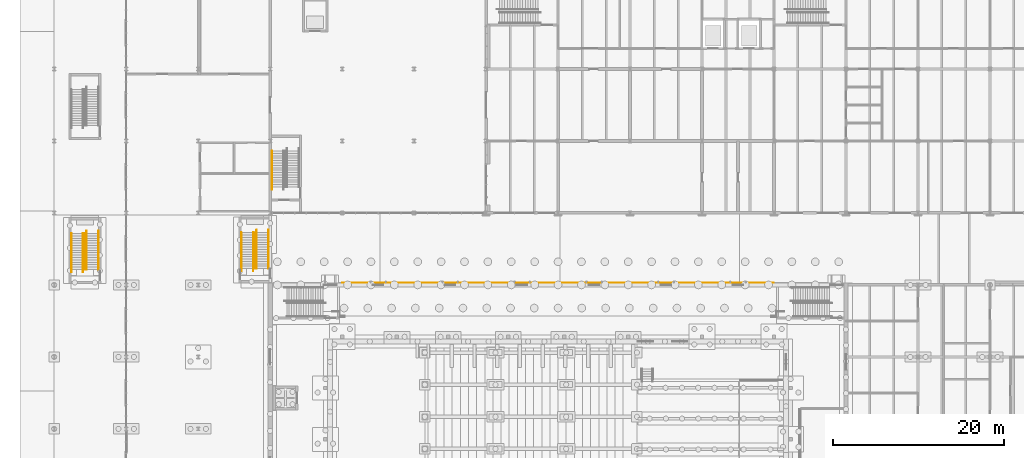
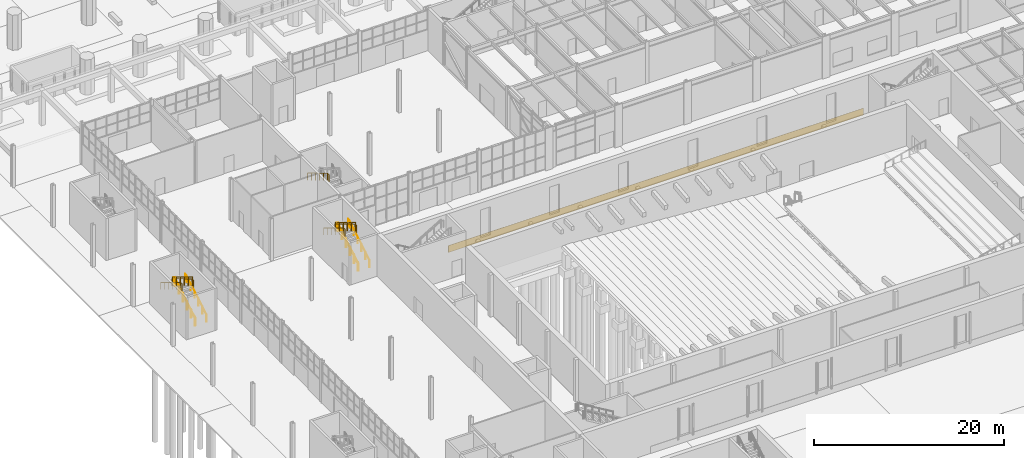
# One storey, part 107 of 127: 13 railings, 1 covering.
"""IFC4 building model written with IfcOpenShell, lengths in metres."""

import ifcopenshell
import ifcopenshell.guid

model = None  # the IFC model being written
_history = None  # IfcOwnerHistory: only IFC2X3 demands one
_inside = {}  # id of a spatial element -> (the spatial element, [elements in it])
_under = {}  # id of a project, library or spatial element -> (it, [spatial elements below it])
_declared = {}  # id of a project -> (the project, [libraries it declares])
_typed = {}  # id of a type object -> (the type object, [elements of that type])
_made_of = {}  # id of a material, layer set ... -> (it, [elements and type objects made of it])


def new_model(schema):
    """Start an empty IFC model of exactly this schema.

    Asked for "IFC4X3", IfcOpenShell would pick the latest addendum, in which some entities
    have other attributes; the version numbers below select the first issue.
    IFC2X3 requires an IfcOwnerHistory on every rooted entity: one is made here for all.
    """
    global model, _history
    if schema == "IFC4X3":
        model = ifcopenshell.file(schema_version=(4, 3, 0, 0))
    else:
        model = ifcopenshell.file(schema=schema)
    _inside.clear()
    _under.clear()
    _declared.clear()
    _typed.clear()
    _made_of.clear()
    _history = None
    if model.schema == "IFC2X3":
        org = make("IfcOrganization", Name="unknown")
        user = make(
            "IfcPersonAndOrganization",
            ThePerson=make("IfcPerson", FamilyName="unknown"),
            TheOrganization=org,
        )
        app = make(
            "IfcApplication",
            ApplicationDeveloper=org,
            Version="unknown",
            ApplicationFullName="unknown",
            ApplicationIdentifier="unknown",
        )
        _history = make(
            "IfcOwnerHistory",
            OwningUser=user,
            OwningApplication=app,
            ChangeAction="ADDED",
            CreationDate=0,
        )
    return model


def make(cls, **values):
    """One entity of the class cls with the attributes given. An attribute that is None is left unset."""
    return model.create_entity(
        cls, **{name: value for name, value in values.items() if value is not None}
    )


def rooted(cls, **values):
    """An entity with a GlobalId (a new one), such as an element, a storey or a relation."""
    return make(cls, GlobalId=ifcopenshell.guid.new(), OwnerHistory=_history, **values)


def si_unit(unit_type, name, prefix=None):
    """IfcSIUnit, for example si_unit("LENGTHUNIT", "METRE", prefix="MILLI")."""
    return make("IfcSIUnit", UnitType=unit_type, Prefix=prefix, Name=name)


def assignment(units):
    """IfcUnitAssignment: the units of a project."""
    return None if units is None else make("IfcUnitAssignment", Units=units)


def point(xyz):
    """IfcCartesianPoint."""
    return None if xyz is None else make("IfcCartesianPoint", Coordinates=xyz)


def direction(xyz):
    """IfcDirection."""
    return None if xyz is None else make("IfcDirection", DirectionRatios=xyz)


def frame(location, z_axis=None, x_axis=None):
    """IfcAxis2Placement3D, a coordinate frame: its origin and axes. An axis left out is left unset."""
    return make(
        "IfcAxis2Placement3D",
        Location=point(location),
        Axis=direction(z_axis),
        RefDirection=direction(x_axis),
    )


def frame_2d(location, x_axis=None):
    """IfcAxis2Placement2D, a coordinate frame in the plane: its origin and x axis."""
    return make(
        "IfcAxis2Placement2D", Location=point(location), RefDirection=direction(x_axis)
    )


def origin():
    """The frame at (0, 0, 0) with its axes left unset."""
    return frame((0.0, 0.0, 0.0))


def origin_2d():
    """The frame at (0, 0) in the plane with its x axis left unset."""
    return frame_2d((0.0, 0.0))


def place(relative_to, where):
    """IfcLocalPlacement: puts the frame where relative to a parent placement (None: the world)."""
    return make(
        "IfcLocalPlacement", PlacementRelTo=relative_to, RelativePlacement=where
    )


def context(
    kind, dimensions, precision=None, world=None, true_north=None, identifier=None
):
    """IfcGeometricRepresentationContext, for example the 3D "Model" context."""
    return make(
        "IfcGeometricRepresentationContext",
        ContextIdentifier=identifier,
        ContextType=kind,
        CoordinateSpaceDimension=dimensions,
        Precision=precision,
        WorldCoordinateSystem=world,
        TrueNorth=true_north,
    )


def subcontext(parent, identifier, kind, view, scale=None):
    """IfcGeometricRepresentationSubContext, for example "Body" below "Model"."""
    return make(
        "IfcGeometricRepresentationSubContext",
        ContextIdentifier=identifier,
        ContextType=kind,
        ParentContext=parent,
        TargetScale=scale,
        TargetView=view,
    )


def project(units=None, contexts=None):
    """IfcProject with its units and contexts."""
    return rooted(
        "IfcProject",
        Name="project",
        RepresentationContexts=contexts,
        UnitsInContext=assignment(units),
    )


def spatial(cls, under=None, at=None, **own):
    """A site, building, storey or space (cls), placed at a placement, below another one or the project."""
    s = rooted(cls, ObjectPlacement=at, **own)
    if under is not None:
        _under.setdefault(under.id(), (under, []))[1].append(s)
    return s


def polyline(points):
    """IfcPolyline through the points."""
    return make("IfcPolyline", Points=[point(p) for p in points])


def profile(cls, at=None, kind="AREA", **sizes):
    """A parametric profile (cls). Its sizes go by their IFC names, for example OverallWidth=200.0."""
    return make(cls, ProfileType=kind, Position=at, **sizes)


def circle(**sizes):
    """IfcCircleProfileDef."""
    return profile("IfcCircleProfileDef", **sizes)


def outline(outer, holes=None, kind="AREA"):
    """IfcArbitraryClosedProfileDef: a profile drawn as a closed curve; with holes, ...WithVoids."""
    if holes is None:
        return make("IfcArbitraryClosedProfileDef", ProfileType=kind, OuterCurve=outer)
    return make(
        "IfcArbitraryProfileDefWithVoids",
        ProfileType=kind,
        OuterCurve=outer,
        InnerCurves=holes,
    )


def extrude(swept, where, along, depth):
    """IfcExtrudedAreaSolid: the profile swept, set in the frame where, extruded along a direction by depth."""
    return make(
        "IfcExtrudedAreaSolid",
        SweptArea=swept,
        Position=where,
        ExtrudedDirection=direction(along),
        Depth=depth,
    )


def shape(context_of_items, identifier, shape_type, items):
    """IfcShapeRepresentation: the items that make up one representation, for example the "Body"."""
    return make(
        "IfcShapeRepresentation",
        ContextOfItems=context_of_items,
        RepresentationIdentifier=identifier,
        RepresentationType=shape_type,
        Items=items,
    )


def material(Name=None, Category=None):
    """IfcMaterial."""
    return make("IfcMaterial", Name=Name, Category=Category)


def layer(
    of_material, thickness, ventilated=None, Name=None, Category=None, Priority=None
):
    """IfcMaterialLayer: one layer of a wall or slab, of a material (None: an air gap)."""
    return make(
        "IfcMaterialLayer",
        Material=of_material,
        LayerThickness=thickness,
        IsVentilated=ventilated,
        Name=Name,
        Category=Category,
        Priority=Priority,
    )


def layer_set(layers, Name=None):
    """IfcMaterialLayerSet."""
    return make("IfcMaterialLayerSet", MaterialLayers=layers, LayerSetName=Name)


def made_of(thing, what):
    """Note that an element or type object is made of a material, layer set ...; save() writes the relation."""
    if what is not None:
        _made_of.setdefault(what.id(), (what, []))[1].append(thing)
    return thing


def type_object(cls, material=None, **own):
    """A type object (cls), such as IfcWallType, which elements share."""
    return made_of(rooted(cls, **own), material)


def element(
    cls,
    number,
    at=None,
    inside=None,
    cuts=None,
    type_object=None,
    material=None,
    context=None,
    identifier="Body",
    shape_type=None,
    held_by="IfcProductDefinitionShape",
    body=None,
    shapes=None,
    **own,
):
    """One element of the class cls, such as IfcWall. Its Tag is "e" and its number.

    at: its placement. inside: the storey or other place that contains it. cuts: it is an
    opening in that element (IfcRelVoidsElement). A single representation is given by context,
    identifier, shape_type and body (its items); several are given by shapes. held_by: the class
    of the entity that holds the representations. save() writes the other relations.
    """
    e = rooted(cls, Tag="e%d" % number, ObjectPlacement=at, **own)
    if body is not None:
        shapes = [shape(context, identifier, shape_type, body)]
    if shapes is not None:
        e.Representation = make(held_by, Representations=shapes)
    if inside is not None:
        _inside.setdefault(inside.id(), (inside, []))[1].append(e)
    if cuts is not None:
        rooted(
            "IfcRelVoidsElement", RelatingBuildingElement=cuts, RelatedOpeningElement=e
        )
    if type_object is not None:
        _typed.setdefault(type_object.id(), (type_object, []))[1].append(e)
    return made_of(e, material)


def aggregate(whole, parts):
    """IfcRelAggregates: a whole, such as a stair, and the parts it consists of."""
    return rooted("IfcRelAggregates", RelatingObject=whole, RelatedObjects=parts)


def save(model, path):
    """Write the relations noted so far, then the file.

    IfcRelAggregates (storeys below a building ...), IfcRelContainedInSpatialStructure (elements
    in a storey), IfcRelDefinesByType, IfcRelAssociatesMaterial and IfcRelDeclares: one each for
    every whole, place, type object, material and project.
    """
    for whole, parts in _under.values():
        aggregate(whole, parts)
    for where, things in _inside.values():
        rooted(
            "IfcRelContainedInSpatialStructure",
            RelatedElements=things,
            RelatingStructure=where,
        )
    for kind, things in _typed.values():
        rooted("IfcRelDefinesByType", RelatedObjects=things, RelatingType=kind)
    for what, things in _made_of.values():
        rooted("IfcRelAssociatesMaterial", RelatedObjects=things, RelatingMaterial=what)
    for by, libraries in _declared.values():
        rooted("IfcRelDeclares", RelatingContext=by, RelatedDefinitions=libraries)
    model.write(path)


model = new_model("IFC4")

# Units and contexts
model_context = context("Model", 3, precision=1e-05, world=origin(), true_north=direction((0.0, 1.0)))
body_context = subcontext(model_context, "Body", "Model", "MODEL_VIEW")
ifc_project = project(units=[si_unit("LENGTHUNIT", "METRE"), si_unit("AREAUNIT", "SQUARE_METRE"), si_unit("VOLUMEUNIT", "CUBIC_METRE"), si_unit("PLANEANGLEUNIT", "RADIAN"), si_unit("MASSUNIT", "GRAM", prefix="KILO")], contexts=[model_context])

# Site, building, storey
site_placement = place(None, origin())
site = spatial("IfcSite", under=ifc_project, at=site_placement, CompositionType="ELEMENT")
building_placement = place(site_placement, origin())
building = spatial("IfcBuilding", under=site, at=building_placement, Name="Ljudholm Concert House", CompositionType="ELEMENT")
storey_placement = place(building_placement, origin())
storey = spatial("IfcBuildingStorey", under=building, at=storey_placement, Name="L00", CompositionType="ELEMENT", Elevation=0.0)

# Covering
ifc_material_1 = material(Name="Ceramic cladding panel")
ifc_layer = layer(ifc_material_1, 0.89990234375)
ifc_layer_set = layer_set([ifc_layer], Name="Ceramic cladding panel")
covering_type = type_object("IfcCoveringType", Name="CERAMIC CLADDING PANEL CLADDING 900", PredefinedType="CLADDING", material=ifc_layer_set)
covering_placement = place(storey_placement, origin())
element("IfcCovering", 1, at=covering_placement, inside=storey, type_object=covering_type, Name="Ceramic plinth band", PredefinedType="CLADDING", context=body_context, shape_type="SweptSolid", body=[
    extrude(outline(polyline([(37.60009765625, 96.64990234375), (88.0, 96.64990234375), (88.0, 96.679931640625), (37.60009765625, 96.679931640625), (37.60009765625, 96.64990234375)])), origin(), (0.0, 0.0, 1.0), 0.89990234375),
])

# Railings
ifc_material_2 = material(Name="Steel ASTM A36", Category="steel")
railing_type_1 = type_object("IfcRailingType", Name="GUARD 1100", PredefinedType="GUARDRAIL", material=ifc_material_2)
railing_1_placement = place(storey_placement, frame((27.574951171875, 98.300048828125, 0.168701171875)))
element("IfcRailing", 2, at=railing_1_placement, inside=storey, type_object=railing_type_1, Name="Guard", PredefinedType="GUARDRAIL", context=body_context, shape_type="SweptSolid", body=[
    extrude(circle(Radius=0.02490234375, at=origin_2d()), frame((0.0, 0.0, 1.0751953125), z_axis=(0.0, 0.856392657067, 0.516325107778), x_axis=(-1.0, 0.0, 0.0)), (0.0, 0.0, 1.0), 0.980712890625),
    extrude(circle(Radius=0.02490234375, at=origin_2d()), frame((0.0, 0.83984375, 1.58154296875), z_axis=(0.0, 0.856569041035, 0.516032438845), x_axis=(-1.0, 0.0, 0.0)), (0.0, 0.0, 1.0), 0.980712890625),
    extrude(circle(Radius=0.02490234375, at=origin_2d()), frame((0.0, 1.679931640625, 2.08740234375), z_axis=(0.0, 0.856459004192, 0.516215046409), x_axis=(-1.0, 0.0, 0.0)), (0.0, 0.0, 1.0), 0.98095703125),
    extrude(circle(Radius=0.02490234375, at=origin_2d()), frame((0.0, 2.52001953125, 2.59375), z_axis=(0.0, 0.856392657067, 0.516325107778), x_axis=(-1.0, 0.0, 0.0)), (0.0, 0.0, 1.0), 0.980712890625),
    extrude(circle(Radius=0.02490234375, at=origin_2d()), frame((0.0, 3.35986328125, 3.10009765625), z_axis=(0.0, 0.856569041035, 0.516032438845), x_axis=(-1.0, 0.0, 0.0)), (0.0, 0.0, 1.0), 0.980712890625),
    extrude(circle(Radius=0.02099609375, at=origin_2d()), origin(), (0.0, 0.0, 1.0), 1.050048828125),
    extrude(circle(Radius=0.02099609375, at=origin_2d()), frame((0.0, 0.83984375, 0.50634765625)), (0.0, 0.0, 1.0), 1.050048828125),
    extrude(circle(Radius=0.02099609375, at=origin_2d()), frame((0.0, 1.679931640625, 1.012451171875)), (0.0, 0.0, 1.0), 1.050048828125),
    extrude(circle(Radius=0.02099609375, at=origin_2d()), frame((0.0, 2.52001953125, 1.518798828125)), (0.0, 0.0, 1.0), 1.050048828125),
    extrude(circle(Radius=0.02099609375, at=origin_2d()), frame((0.0, 3.35986328125, 2.025146484375)), (0.0, 0.0, 1.0), 1.050048828125),
    extrude(circle(Radius=0.02099609375, at=origin_2d()), frame((0.0, 4.199951171875, 2.53125)), (0.0, 0.0, 1.0), 1.050048828125),
])
railing_2_placement = place(storey_placement, frame((27.27490234375, 102.5, 2.86865234375)))
element("IfcRailing", 3, at=railing_2_placement, inside=storey, type_object=railing_type_1, Name="Guard", PredefinedType="GUARDRAIL", context=body_context, shape_type="SweptSolid", body=[
    extrude(circle(Radius=0.02490234375, at=origin_2d()), frame((0.0, 0.0, 1.0751953125), z_axis=(0.0, -0.856459004192, 0.516215046409), x_axis=(1.0, 0.0, 0.0)), (0.0, 0.0, 1.0), 0.98095703125),
    extrude(circle(Radius=0.02490234375, at=origin_2d()), frame((0.0, -0.840087890625, 1.58154296875), z_axis=(0.0, -0.856392657067, 0.516325107778), x_axis=(1.0, 0.0, 0.0)), (0.0, 0.0, 1.0), 0.980712890625),
    extrude(circle(Radius=0.02490234375, at=origin_2d()), frame((0.0, -1.679931640625, 2.087890625), z_axis=(0.0, -0.856569041035, 0.516032438845), x_axis=(1.0, 0.0, 0.0)), (0.0, 0.0, 1.0), 0.980712890625),
    extrude(circle(Radius=0.02490234375, at=origin_2d()), frame((0.0, -2.52001953125, 2.59375), z_axis=(0.0, -0.856459004192, 0.516215046409), x_axis=(1.0, 0.0, 0.0)), (0.0, 0.0, 1.0), 0.98095703125),
    extrude(circle(Radius=0.02490234375, at=origin_2d()), frame((0.0, -3.360107421875, 3.10009765625), z_axis=(0.0, -0.856502732318, 0.516142489563), x_axis=(1.0, 0.0, 0.0)), (0.0, 0.0, 1.0), 0.98046875),
    extrude(circle(Radius=0.02099609375, at=origin_2d()), origin(), (0.0, 0.0, 1.0), 1.050048828125),
    extrude(circle(Radius=0.02099609375, at=origin_2d()), frame((0.0, -0.840087890625, 0.50634765625)), (0.0, 0.0, 1.0), 1.050048828125),
    extrude(circle(Radius=0.02099609375, at=origin_2d()), frame((0.0, -1.679931640625, 1.0126953125)), (0.0, 0.0, 1.0), 1.050048828125),
    extrude(circle(Radius=0.02099609375, at=origin_2d()), frame((0.0, -2.52001953125, 1.518798828125)), (0.0, 0.0, 1.0), 1.050048828125),
    extrude(circle(Radius=0.02099609375, at=origin_2d()), frame((0.0, -3.360107421875, 2.025146484375)), (0.0, 0.0, 1.0), 1.050048828125),
    extrude(circle(Radius=0.02099609375, at=origin_2d()), frame((0.0, -4.199951171875, 2.53125)), (0.0, 0.0, 1.0), 1.050048828125),
])
railing_3_placement = place(storey_placement, frame((7.72509765625, 98.199951171875, 0.168701171875)))
element("IfcRailing", 4, at=railing_3_placement, inside=storey, type_object=railing_type_1, Name="Guard", PredefinedType="GUARDRAIL", context=body_context, shape_type="SweptSolid", body=[
    extrude(circle(Radius=0.02490234375, at=origin_2d()), frame((0.0, 0.0, 1.0751953125), z_axis=(0.0, 0.856459004192, 0.516215046409), x_axis=(-1.0, 0.0, 0.0)), (0.0, 0.0, 1.0), 0.98095703125),
    extrude(circle(Radius=0.02490234375, at=origin_2d()), frame((0.0, 0.840087890625, 1.58154296875), z_axis=(0.0, 0.856502732318, 0.516142489563), x_axis=(-1.0, 0.0, 0.0)), (0.0, 0.0, 1.0), 0.98046875),
    extrude(circle(Radius=0.02490234375, at=origin_2d()), frame((0.0, 1.679931640625, 2.08740234375), z_axis=(0.0, 0.856459004192, 0.516215046409), x_axis=(-1.0, 0.0, 0.0)), (0.0, 0.0, 1.0), 0.98095703125),
    extrude(circle(Radius=0.02490234375, at=origin_2d()), frame((0.0, 2.52001953125, 2.59375), z_axis=(0.0, 0.856459004192, 0.516215046409), x_axis=(-1.0, 0.0, 0.0)), (0.0, 0.0, 1.0), 0.98095703125),
    extrude(circle(Radius=0.02490234375, at=origin_2d()), frame((0.0, 3.360107421875, 3.10009765625), z_axis=(0.0, 0.856502732318, 0.516142489563), x_axis=(-1.0, 0.0, 0.0)), (0.0, 0.0, 1.0), 0.98046875),
    extrude(circle(Radius=0.02099609375, at=origin_2d()), origin(), (0.0, 0.0, 1.0), 1.050048828125),
    extrude(circle(Radius=0.02099609375, at=origin_2d()), frame((0.0, 0.840087890625, 0.50634765625)), (0.0, 0.0, 1.0), 1.050048828125),
    extrude(circle(Radius=0.02099609375, at=origin_2d()), frame((0.0, 1.679931640625, 1.012451171875)), (0.0, 0.0, 1.0), 1.050048828125),
    extrude(circle(Radius=0.02099609375, at=origin_2d()), frame((0.0, 2.52001953125, 1.518798828125)), (0.0, 0.0, 1.0), 1.050048828125),
    extrude(circle(Radius=0.02099609375, at=origin_2d()), frame((0.0, 3.360107421875, 2.025146484375)), (0.0, 0.0, 1.0), 1.050048828125),
    extrude(circle(Radius=0.02099609375, at=origin_2d()), frame((0.0, 4.199951171875, 2.53125)), (0.0, 0.0, 1.0), 1.050048828125),
])
railing_4_placement = place(storey_placement, frame((7.425048828125, 102.39990234375, 2.86865234375)))
element("IfcRailing", 5, at=railing_4_placement, inside=storey, type_object=railing_type_1, Name="Guard", PredefinedType="GUARDRAIL", context=body_context, shape_type="SweptSolid", body=[
    extrude(circle(Radius=0.02490234375, at=origin_2d()), frame((0.0, 0.0, 1.0751953125), z_axis=(0.0, -0.856392657067, 0.516325107778), x_axis=(1.0, 0.0, 0.0)), (0.0, 0.0, 1.0), 0.980712890625),
    extrude(circle(Radius=0.02490234375, at=origin_2d()), frame((0.0, -0.83984375, 1.58154296875), z_axis=(0.0, -0.856459004192, 0.516215046409), x_axis=(1.0, 0.0, 0.0)), (0.0, 0.0, 1.0), 0.98095703125),
    extrude(circle(Radius=0.02490234375, at=origin_2d()), frame((0.0, -1.679931640625, 2.087890625), z_axis=(0.0, -0.856569041035, 0.516032438845), x_axis=(1.0, 0.0, 0.0)), (0.0, 0.0, 1.0), 0.980712890625),
    extrude(circle(Radius=0.02490234375, at=origin_2d()), frame((0.0, -2.52001953125, 2.59375), z_axis=(0.0, -0.856392657067, 0.516325107778), x_axis=(1.0, 0.0, 0.0)), (0.0, 0.0, 1.0), 0.980712890625),
    extrude(circle(Radius=0.02490234375, at=origin_2d()), frame((0.0, -3.35986328125, 3.10009765625), z_axis=(0.0, -0.856569041035, 0.516032438845), x_axis=(1.0, 0.0, 0.0)), (0.0, 0.0, 1.0), 0.980712890625),
    extrude(circle(Radius=0.02099609375, at=origin_2d()), origin(), (0.0, 0.0, 1.0), 1.050048828125),
    extrude(circle(Radius=0.02099609375, at=origin_2d()), frame((0.0, -0.83984375, 0.50634765625)), (0.0, 0.0, 1.0), 1.050048828125),
    extrude(circle(Radius=0.02099609375, at=origin_2d()), frame((0.0, -1.679931640625, 1.0126953125)), (0.0, 0.0, 1.0), 1.050048828125),
    extrude(circle(Radius=0.02099609375, at=origin_2d()), frame((0.0, -2.52001953125, 1.518798828125)), (0.0, 0.0, 1.0), 1.050048828125),
    extrude(circle(Radius=0.02099609375, at=origin_2d()), frame((0.0, -3.35986328125, 2.025146484375)), (0.0, 0.0, 1.0), 1.050048828125),
    extrude(circle(Radius=0.02099609375, at=origin_2d()), frame((0.0, -4.199951171875, 2.53125)), (0.0, 0.0, 1.0), 1.050048828125),
])
ifc_material_3 = material(Name="Steel ASTM A36", Category="steel")
railing_type_2 = type_object("IfcRailingType", Name="HANDRAIL 900", PredefinedType="HANDRAIL", material=ifc_material_3)
railing_5_placement = place(storey_placement, frame((27.625, 98.300048828125, 0.168701171875)))
element("IfcRailing", 6, at=railing_5_placement, inside=storey, type_object=railing_type_2, Name="Handrail", PredefinedType="HANDRAIL", context=body_context, shape_type="SweptSolid", body=[
    extrude(circle(Radius=0.0224609375, at=origin_2d()), frame((0.0, 0.0, 0.87744140625), z_axis=(0.0, 0.856392657067, 0.516325107778), x_axis=(-1.0, 0.0, 0.0)), (0.0, 0.0, 1.0), 0.980712890625),
    extrude(circle(Radius=0.0224609375, at=origin_2d()), frame((0.0, 0.83984375, 1.3837890625), z_axis=(0.0, 0.856569041035, 0.516032438845), x_axis=(-1.0, 0.0, 0.0)), (0.0, 0.0, 1.0), 0.980712890625),
    extrude(circle(Radius=0.0224609375, at=origin_2d()), frame((0.0, 1.679931640625, 1.889892578125), z_axis=(0.0, 0.856459004192, 0.516215046409), x_axis=(-1.0, 0.0, 0.0)), (0.0, 0.0, 1.0), 0.98095703125),
    extrude(circle(Radius=0.0224609375, at=origin_2d()), frame((0.0, 2.52001953125, 2.396240234375), z_axis=(0.0, 0.856392657067, 0.516325107778), x_axis=(-1.0, 0.0, 0.0)), (0.0, 0.0, 1.0), 0.980712890625),
    extrude(circle(Radius=0.0224609375, at=origin_2d()), frame((0.0, 3.35986328125, 2.902587890625), z_axis=(0.0, 0.856569041035, 0.516032438845), x_axis=(-1.0, 0.0, 0.0)), (0.0, 0.0, 1.0), 0.980712890625),
    extrude(circle(Radius=0.0224609375, at=origin_2d()), frame((0.0, 4.199951171875, 3.40869140625), z_axis=(0.0, 1.0, 0.0), x_axis=(-1.0, 0.0, 0.0)), (0.0, 0.0, 1.0), 0.300048828125),
    extrude(circle(Radius=0.02099609375, at=origin_2d()), origin(), (0.0, 0.0, 1.0), 0.85498046875),
    extrude(circle(Radius=0.02099609375, at=origin_2d()), frame((0.0, 0.83984375, 0.50634765625)), (0.0, 0.0, 1.0), 0.85498046875),
    extrude(circle(Radius=0.02099609375, at=origin_2d()), frame((0.0, 1.679931640625, 1.012451171875)), (0.0, 0.0, 1.0), 0.85498046875),
    extrude(circle(Radius=0.02099609375, at=origin_2d()), frame((0.0, 2.52001953125, 1.518798828125)), (0.0, 0.0, 1.0), 0.85498046875),
    extrude(circle(Radius=0.02099609375, at=origin_2d()), frame((0.0, 3.35986328125, 2.025146484375)), (0.0, 0.0, 1.0), 0.85498046875),
    extrude(circle(Radius=0.02099609375, at=origin_2d()), frame((0.0, 4.199951171875, 2.53125)), (0.0, 0.0, 1.0), 0.85498046875),
    extrude(circle(Radius=0.02099609375, at=origin_2d()), frame((0.0, 4.5, 2.53125)), (0.0, 0.0, 1.0), 0.85498046875),
])
railing_6_placement = place(storey_placement, frame((29.0, 98.300048828125, 0.168701171875)))
element("IfcRailing", 7, at=railing_6_placement, inside=storey, type_object=railing_type_2, Name="Handrail", PredefinedType="HANDRAIL", context=body_context, shape_type="SweptSolid", body=[
    extrude(circle(Radius=0.0224609375, at=origin_2d()), frame((0.0, 0.0, 0.87744140625), z_axis=(0.0, 0.856392657067, 0.516325107778), x_axis=(-1.0, 0.0, 0.0)), (0.0, 0.0, 1.0), 0.980712890625),
    extrude(circle(Radius=0.0224609375, at=origin_2d()), frame((0.0, 0.83984375, 1.3837890625), z_axis=(0.0, 0.856569041035, 0.516032438845), x_axis=(-1.0, 0.0, 0.0)), (0.0, 0.0, 1.0), 0.980712890625),
    extrude(circle(Radius=0.0224609375, at=origin_2d()), frame((0.0, 1.679931640625, 1.889892578125), z_axis=(0.0, 0.856459004192, 0.516215046409), x_axis=(-1.0, 0.0, 0.0)), (0.0, 0.0, 1.0), 0.98095703125),
    extrude(circle(Radius=0.0224609375, at=origin_2d()), frame((0.0, 2.52001953125, 2.396240234375), z_axis=(0.0, 0.856392657067, 0.516325107778), x_axis=(-1.0, 0.0, 0.0)), (0.0, 0.0, 1.0), 0.980712890625),
    extrude(circle(Radius=0.0224609375, at=origin_2d()), frame((0.0, 3.35986328125, 2.902587890625), z_axis=(0.0, 0.856569041035, 0.516032438845), x_axis=(-1.0, 0.0, 0.0)), (0.0, 0.0, 1.0), 0.980712890625),
    extrude(circle(Radius=0.0224609375, at=origin_2d()), frame((0.0, 4.199951171875, 3.40869140625), z_axis=(0.0, 1.0, 0.0), x_axis=(-1.0, 0.0, 0.0)), (0.0, 0.0, 1.0), 0.300048828125),
    extrude(circle(Radius=0.02099609375, at=origin_2d()), origin(), (0.0, 0.0, 1.0), 0.85498046875),
    extrude(circle(Radius=0.02099609375, at=origin_2d()), frame((0.0, 0.83984375, 0.50634765625)), (0.0, 0.0, 1.0), 0.85498046875),
    extrude(circle(Radius=0.02099609375, at=origin_2d()), frame((0.0, 1.679931640625, 1.012451171875)), (0.0, 0.0, 1.0), 0.85498046875),
    extrude(circle(Radius=0.02099609375, at=origin_2d()), frame((0.0, 2.52001953125, 1.518798828125)), (0.0, 0.0, 1.0), 0.85498046875),
    extrude(circle(Radius=0.02099609375, at=origin_2d()), frame((0.0, 3.35986328125, 2.025146484375)), (0.0, 0.0, 1.0), 0.85498046875),
    extrude(circle(Radius=0.02099609375, at=origin_2d()), frame((0.0, 4.199951171875, 2.53125)), (0.0, 0.0, 1.0), 0.85498046875),
    extrude(circle(Radius=0.02099609375, at=origin_2d()), frame((0.0, 4.5, 2.53125)), (0.0, 0.0, 1.0), 0.85498046875),
])
railing_7_placement = place(storey_placement, frame((27.22509765625, 102.5, 2.86865234375)))
element("IfcRailing", 8, at=railing_7_placement, inside=storey, type_object=railing_type_2, Name="Handrail", PredefinedType="HANDRAIL", context=body_context, shape_type="SweptSolid", body=[
    extrude(circle(Radius=0.0224609375, at=origin_2d()), frame((0.0, 0.0, 0.87744140625), z_axis=(0.0, -0.856459004192, 0.516215046409), x_axis=(1.0, 0.0, 0.0)), (0.0, 0.0, 1.0), 0.98095703125),
    extrude(circle(Radius=0.0224609375, at=origin_2d()), frame((0.0, -0.840087890625, 1.3837890625), z_axis=(0.0, -0.856392657067, 0.516325107778), x_axis=(1.0, 0.0, 0.0)), (0.0, 0.0, 1.0), 0.980712890625),
    extrude(circle(Radius=0.0224609375, at=origin_2d()), frame((0.0, -1.679931640625, 1.89013671875), z_axis=(0.0, -0.856569041035, 0.516032438845), x_axis=(1.0, 0.0, 0.0)), (0.0, 0.0, 1.0), 0.980712890625),
    extrude(circle(Radius=0.0224609375, at=origin_2d()), frame((0.0, -2.52001953125, 2.396240234375), z_axis=(0.0, -0.856459004192, 0.516215046409), x_axis=(1.0, 0.0, 0.0)), (0.0, 0.0, 1.0), 0.98095703125),
    extrude(circle(Radius=0.0224609375, at=origin_2d()), frame((0.0, -3.360107421875, 2.902587890625), z_axis=(0.0, -0.856502732318, 0.516142489563), x_axis=(1.0, 0.0, 0.0)), (0.0, 0.0, 1.0), 0.98046875),
    extrude(circle(Radius=0.0224609375, at=origin_2d()), frame((0.0, -4.199951171875, 3.40869140625), z_axis=(0.0, -1.0, 0.0), x_axis=(1.0, 0.0, 0.0)), (0.0, 0.0, 1.0), 0.300048828125),
    extrude(circle(Radius=0.02099609375, at=origin_2d()), origin(), (0.0, 0.0, 1.0), 0.85498046875),
    extrude(circle(Radius=0.02099609375, at=origin_2d()), frame((0.0, -0.840087890625, 0.50634765625)), (0.0, 0.0, 1.0), 0.85498046875),
    extrude(circle(Radius=0.02099609375, at=origin_2d()), frame((0.0, -1.679931640625, 1.0126953125)), (0.0, 0.0, 1.0), 0.85498046875),
    extrude(circle(Radius=0.02099609375, at=origin_2d()), frame((0.0, -2.52001953125, 1.518798828125)), (0.0, 0.0, 1.0), 0.85498046875),
    extrude(circle(Radius=0.02099609375, at=origin_2d()), frame((0.0, -3.360107421875, 2.025146484375)), (0.0, 0.0, 1.0), 0.85498046875),
    extrude(circle(Radius=0.02099609375, at=origin_2d()), frame((0.0, -4.199951171875, 2.53125)), (0.0, 0.0, 1.0), 0.85498046875),
    extrude(circle(Radius=0.02099609375, at=origin_2d()), frame((0.0, -4.5, 2.53125)), (0.0, 0.0, 1.0), 0.85498046875),
])
railing_8_placement = place(storey_placement, frame((25.85009765625, 102.5, 2.86865234375)))
element("IfcRailing", 9, at=railing_8_placement, inside=storey, type_object=railing_type_2, Name="Handrail", PredefinedType="HANDRAIL", context=body_context, shape_type="SweptSolid", body=[
    extrude(circle(Radius=0.0224609375, at=origin_2d()), frame((0.0, 0.0, 0.87744140625), z_axis=(0.0, -0.856459004192, 0.516215046409), x_axis=(1.0, 0.0, 0.0)), (0.0, 0.0, 1.0), 0.98095703125),
    extrude(circle(Radius=0.0224609375, at=origin_2d()), frame((0.0, -0.840087890625, 1.3837890625), z_axis=(0.0, -0.856392657067, 0.516325107778), x_axis=(1.0, 0.0, 0.0)), (0.0, 0.0, 1.0), 0.980712890625),
    extrude(circle(Radius=0.0224609375, at=origin_2d()), frame((0.0, -1.679931640625, 1.89013671875), z_axis=(0.0, -0.856569041035, 0.516032438845), x_axis=(1.0, 0.0, 0.0)), (0.0, 0.0, 1.0), 0.980712890625),
    extrude(circle(Radius=0.0224609375, at=origin_2d()), frame((0.0, -2.52001953125, 2.396240234375), z_axis=(0.0, -0.856459004192, 0.516215046409), x_axis=(1.0, 0.0, 0.0)), (0.0, 0.0, 1.0), 0.98095703125),
    extrude(circle(Radius=0.0224609375, at=origin_2d()), frame((0.0, -3.360107421875, 2.902587890625), z_axis=(0.0, -0.856502732318, 0.516142489563), x_axis=(1.0, 0.0, 0.0)), (0.0, 0.0, 1.0), 0.98046875),
    extrude(circle(Radius=0.0224609375, at=origin_2d()), frame((0.0, -4.199951171875, 3.40869140625), z_axis=(0.0, -1.0, 0.0), x_axis=(1.0, 0.0, 0.0)), (0.0, 0.0, 1.0), 0.300048828125),
    extrude(circle(Radius=0.02099609375, at=origin_2d()), origin(), (0.0, 0.0, 1.0), 0.85498046875),
    extrude(circle(Radius=0.02099609375, at=origin_2d()), frame((0.0, -0.840087890625, 0.50634765625)), (0.0, 0.0, 1.0), 0.85498046875),
    extrude(circle(Radius=0.02099609375, at=origin_2d()), frame((0.0, -1.679931640625, 1.0126953125)), (0.0, 0.0, 1.0), 0.85498046875),
    extrude(circle(Radius=0.02099609375, at=origin_2d()), frame((0.0, -2.52001953125, 1.518798828125)), (0.0, 0.0, 1.0), 0.85498046875),
    extrude(circle(Radius=0.02099609375, at=origin_2d()), frame((0.0, -3.360107421875, 2.025146484375)), (0.0, 0.0, 1.0), 0.85498046875),
    extrude(circle(Radius=0.02099609375, at=origin_2d()), frame((0.0, -4.199951171875, 2.53125)), (0.0, 0.0, 1.0), 0.85498046875),
    extrude(circle(Radius=0.02099609375, at=origin_2d()), frame((0.0, -4.5, 2.53125)), (0.0, 0.0, 1.0), 0.85498046875),
])
railing_9_placement = place(storey_placement, frame((7.77490234375, 98.199951171875, 0.168701171875)))
element("IfcRailing", 10, at=railing_9_placement, inside=storey, type_object=railing_type_2, Name="Handrail", PredefinedType="HANDRAIL", context=body_context, shape_type="SweptSolid", body=[
    extrude(circle(Radius=0.0224609375, at=origin_2d()), frame((0.0, 0.0, 0.87744140625), z_axis=(0.0, 0.856459004192, 0.516215046409), x_axis=(-1.0, 0.0, 0.0)), (0.0, 0.0, 1.0), 0.98095703125),
    extrude(circle(Radius=0.0224609375, at=origin_2d()), frame((0.0, 0.840087890625, 1.3837890625), z_axis=(0.0, 0.856502732318, 0.516142489563), x_axis=(-1.0, 0.0, 0.0)), (0.0, 0.0, 1.0), 0.98046875),
    extrude(circle(Radius=0.0224609375, at=origin_2d()), frame((0.0, 1.679931640625, 1.889892578125), z_axis=(0.0, 0.856459004192, 0.516215046409), x_axis=(-1.0, 0.0, 0.0)), (0.0, 0.0, 1.0), 0.98095703125),
    extrude(circle(Radius=0.0224609375, at=origin_2d()), frame((0.0, 2.52001953125, 2.396240234375), z_axis=(0.0, 0.856459004192, 0.516215046409), x_axis=(-1.0, 0.0, 0.0)), (0.0, 0.0, 1.0), 0.98095703125),
    extrude(circle(Radius=0.0224609375, at=origin_2d()), frame((0.0, 3.360107421875, 2.902587890625), z_axis=(0.0, 0.856502732318, 0.516142489563), x_axis=(-1.0, 0.0, 0.0)), (0.0, 0.0, 1.0), 0.98046875),
    extrude(circle(Radius=0.0224609375, at=origin_2d()), frame((0.0, 4.199951171875, 3.40869140625), z_axis=(0.0, 1.0, 0.0), x_axis=(-1.0, 0.0, 0.0)), (0.0, 0.0, 1.0), 0.300048828125),
    extrude(circle(Radius=0.02099609375, at=origin_2d()), origin(), (0.0, 0.0, 1.0), 0.85498046875),
    extrude(circle(Radius=0.02099609375, at=origin_2d()), frame((0.0, 0.840087890625, 0.50634765625)), (0.0, 0.0, 1.0), 0.85498046875),
    extrude(circle(Radius=0.02099609375, at=origin_2d()), frame((0.0, 1.679931640625, 1.012451171875)), (0.0, 0.0, 1.0), 0.85498046875),
    extrude(circle(Radius=0.02099609375, at=origin_2d()), frame((0.0, 2.52001953125, 1.518798828125)), (0.0, 0.0, 1.0), 0.85498046875),
    extrude(circle(Radius=0.02099609375, at=origin_2d()), frame((0.0, 3.360107421875, 2.025146484375)), (0.0, 0.0, 1.0), 0.85498046875),
    extrude(circle(Radius=0.02099609375, at=origin_2d()), frame((0.0, 4.199951171875, 2.53125)), (0.0, 0.0, 1.0), 0.85498046875),
    extrude(circle(Radius=0.02099609375, at=origin_2d()), frame((0.0, 4.5, 2.53125)), (0.0, 0.0, 1.0), 0.85498046875),
])
railing_10_placement = place(storey_placement, frame((9.14990234375, 98.199951171875, 0.168701171875)))
element("IfcRailing", 11, at=railing_10_placement, inside=storey, type_object=railing_type_2, Name="Handrail", PredefinedType="HANDRAIL", context=body_context, shape_type="SweptSolid", body=[
    extrude(circle(Radius=0.0224609375, at=origin_2d()), frame((0.0, 0.0, 0.87744140625), z_axis=(0.0, 0.856459004192, 0.516215046409), x_axis=(-1.0, 0.0, 0.0)), (0.0, 0.0, 1.0), 0.98095703125),
    extrude(circle(Radius=0.0224609375, at=origin_2d()), frame((0.0, 0.840087890625, 1.3837890625), z_axis=(0.0, 0.856502732318, 0.516142489563), x_axis=(-1.0, 0.0, 0.0)), (0.0, 0.0, 1.0), 0.98046875),
    extrude(circle(Radius=0.0224609375, at=origin_2d()), frame((0.0, 1.679931640625, 1.889892578125), z_axis=(0.0, 0.856459004192, 0.516215046409), x_axis=(-1.0, 0.0, 0.0)), (0.0, 0.0, 1.0), 0.98095703125),
    extrude(circle(Radius=0.0224609375, at=origin_2d()), frame((0.0, 2.52001953125, 2.396240234375), z_axis=(0.0, 0.856459004192, 0.516215046409), x_axis=(-1.0, 0.0, 0.0)), (0.0, 0.0, 1.0), 0.98095703125),
    extrude(circle(Radius=0.0224609375, at=origin_2d()), frame((0.0, 3.360107421875, 2.902587890625), z_axis=(0.0, 0.856502732318, 0.516142489563), x_axis=(-1.0, 0.0, 0.0)), (0.0, 0.0, 1.0), 0.98046875),
    extrude(circle(Radius=0.0224609375, at=origin_2d()), frame((0.0, 4.199951171875, 3.40869140625), z_axis=(0.0, 1.0, 0.0), x_axis=(-1.0, 0.0, 0.0)), (0.0, 0.0, 1.0), 0.300048828125),
    extrude(circle(Radius=0.02099609375, at=origin_2d()), origin(), (0.0, 0.0, 1.0), 0.85498046875),
    extrude(circle(Radius=0.02099609375, at=origin_2d()), frame((0.0, 0.840087890625, 0.50634765625)), (0.0, 0.0, 1.0), 0.85498046875),
    extrude(circle(Radius=0.02099609375, at=origin_2d()), frame((0.0, 1.679931640625, 1.012451171875)), (0.0, 0.0, 1.0), 0.85498046875),
    extrude(circle(Radius=0.02099609375, at=origin_2d()), frame((0.0, 2.52001953125, 1.518798828125)), (0.0, 0.0, 1.0), 0.85498046875),
    extrude(circle(Radius=0.02099609375, at=origin_2d()), frame((0.0, 3.360107421875, 2.025146484375)), (0.0, 0.0, 1.0), 0.85498046875),
    extrude(circle(Radius=0.02099609375, at=origin_2d()), frame((0.0, 4.199951171875, 2.53125)), (0.0, 0.0, 1.0), 0.85498046875),
    extrude(circle(Radius=0.02099609375, at=origin_2d()), frame((0.0, 4.5, 2.53125)), (0.0, 0.0, 1.0), 0.85498046875),
])
railing_11_placement = place(storey_placement, frame((7.375, 102.39990234375, 2.86865234375)))
element("IfcRailing", 12, at=railing_11_placement, inside=storey, type_object=railing_type_2, Name="Handrail", PredefinedType="HANDRAIL", context=body_context, shape_type="SweptSolid", body=[
    extrude(circle(Radius=0.0224609375, at=origin_2d()), frame((0.0, 0.0, 0.87744140625), z_axis=(0.0, -0.856392657067, 0.516325107778), x_axis=(1.0, 0.0, 0.0)), (0.0, 0.0, 1.0), 0.980712890625),
    extrude(circle(Radius=0.0224609375, at=origin_2d()), frame((0.0, -0.83984375, 1.3837890625), z_axis=(0.0, -0.856459004192, 0.516215046409), x_axis=(1.0, 0.0, 0.0)), (0.0, 0.0, 1.0), 0.98095703125),
    extrude(circle(Radius=0.0224609375, at=origin_2d()), frame((0.0, -1.679931640625, 1.89013671875), z_axis=(0.0, -0.856569041035, 0.516032438845), x_axis=(1.0, 0.0, 0.0)), (0.0, 0.0, 1.0), 0.980712890625),
    extrude(circle(Radius=0.0224609375, at=origin_2d()), frame((0.0, -2.52001953125, 2.396240234375), z_axis=(0.0, -0.856392657067, 0.516325107778), x_axis=(1.0, 0.0, 0.0)), (0.0, 0.0, 1.0), 0.980712890625),
    extrude(circle(Radius=0.0224609375, at=origin_2d()), frame((0.0, -3.35986328125, 2.902587890625), z_axis=(0.0, -0.856569041035, 0.516032438845), x_axis=(1.0, 0.0, 0.0)), (0.0, 0.0, 1.0), 0.980712890625),
    extrude(circle(Radius=0.0224609375, at=origin_2d()), frame((0.0, -4.199951171875, 3.40869140625), z_axis=(0.0, -1.0, 0.0), x_axis=(1.0, 0.0, 0.0)), (0.0, 0.0, 1.0), 0.300048828125),
    extrude(circle(Radius=0.02099609375, at=origin_2d()), origin(), (0.0, 0.0, 1.0), 0.85498046875),
    extrude(circle(Radius=0.02099609375, at=origin_2d()), frame((0.0, -0.83984375, 0.50634765625)), (0.0, 0.0, 1.0), 0.85498046875),
    extrude(circle(Radius=0.02099609375, at=origin_2d()), frame((0.0, -1.679931640625, 1.0126953125)), (0.0, 0.0, 1.0), 0.85498046875),
    extrude(circle(Radius=0.02099609375, at=origin_2d()), frame((0.0, -2.52001953125, 1.518798828125)), (0.0, 0.0, 1.0), 0.85498046875),
    extrude(circle(Radius=0.02099609375, at=origin_2d()), frame((0.0, -3.35986328125, 2.025146484375)), (0.0, 0.0, 1.0), 0.85498046875),
    extrude(circle(Radius=0.02099609375, at=origin_2d()), frame((0.0, -4.199951171875, 2.53125)), (0.0, 0.0, 1.0), 0.85498046875),
    extrude(circle(Radius=0.02099609375, at=origin_2d()), frame((0.0, -4.5, 2.53125)), (0.0, 0.0, 1.0), 0.85498046875),
])
railing_12_placement = place(storey_placement, frame((6.0, 102.39990234375, 2.86865234375)))
element("IfcRailing", 13, at=railing_12_placement, inside=storey, type_object=railing_type_2, Name="Handrail", PredefinedType="HANDRAIL", context=body_context, shape_type="SweptSolid", body=[
    extrude(circle(Radius=0.0224609375, at=origin_2d()), frame((0.0, 0.0, 0.87744140625), z_axis=(0.0, -0.856392657067, 0.516325107778), x_axis=(1.0, 0.0, 0.0)), (0.0, 0.0, 1.0), 0.980712890625),
    extrude(circle(Radius=0.0224609375, at=origin_2d()), frame((0.0, -0.83984375, 1.3837890625), z_axis=(0.0, -0.856459004192, 0.516215046409), x_axis=(1.0, 0.0, 0.0)), (0.0, 0.0, 1.0), 0.98095703125),
    extrude(circle(Radius=0.0224609375, at=origin_2d()), frame((0.0, -1.679931640625, 1.89013671875), z_axis=(0.0, -0.856569041035, 0.516032438845), x_axis=(1.0, 0.0, 0.0)), (0.0, 0.0, 1.0), 0.980712890625),
    extrude(circle(Radius=0.0224609375, at=origin_2d()), frame((0.0, -2.52001953125, 2.396240234375), z_axis=(0.0, -0.856392657067, 0.516325107778), x_axis=(1.0, 0.0, 0.0)), (0.0, 0.0, 1.0), 0.980712890625),
    extrude(circle(Radius=0.0224609375, at=origin_2d()), frame((0.0, -3.35986328125, 2.902587890625), z_axis=(0.0, -0.856569041035, 0.516032438845), x_axis=(1.0, 0.0, 0.0)), (0.0, 0.0, 1.0), 0.980712890625),
    extrude(circle(Radius=0.0224609375, at=origin_2d()), frame((0.0, -4.199951171875, 3.40869140625), z_axis=(0.0, -1.0, 0.0), x_axis=(1.0, 0.0, 0.0)), (0.0, 0.0, 1.0), 0.300048828125),
    extrude(circle(Radius=0.02099609375, at=origin_2d()), origin(), (0.0, 0.0, 1.0), 0.85498046875),
    extrude(circle(Radius=0.02099609375, at=origin_2d()), frame((0.0, -0.83984375, 0.50634765625)), (0.0, 0.0, 1.0), 0.85498046875),
    extrude(circle(Radius=0.02099609375, at=origin_2d()), frame((0.0, -1.679931640625, 1.0126953125)), (0.0, 0.0, 1.0), 0.85498046875),
    extrude(circle(Radius=0.02099609375, at=origin_2d()), frame((0.0, -2.52001953125, 1.518798828125)), (0.0, 0.0, 1.0), 0.85498046875),
    extrude(circle(Radius=0.02099609375, at=origin_2d()), frame((0.0, -3.35986328125, 2.025146484375)), (0.0, 0.0, 1.0), 0.85498046875),
    extrude(circle(Radius=0.02099609375, at=origin_2d()), frame((0.0, -4.199951171875, 2.53125)), (0.0, 0.0, 1.0), 0.85498046875),
    extrude(circle(Radius=0.02099609375, at=origin_2d()), frame((0.0, -4.5, 2.53125)), (0.0, 0.0, 1.0), 0.85498046875),
])
railing_13_placement = place(storey_placement, frame((29.39990234375, 112.030029296875, 2.86865234375)))
element("IfcRailing", 14, at=railing_13_placement, inside=storey, type_object=railing_type_2, Name="Handrail", PredefinedType="HANDRAIL", context=body_context, shape_type="SweptSolid", body=[
    extrude(circle(Radius=0.0224609375, at=origin_2d()), frame((0.0, 0.0, 0.87744140625), z_axis=(0.0, -0.856459004192, 0.516215046409), x_axis=(1.0, 0.0, 0.0)), (0.0, 0.0, 1.0), 0.98095703125),
    extrude(circle(Radius=0.0224609375, at=origin_2d()), frame((0.0, -0.840087890625, 1.3837890625), z_axis=(0.0, -0.856392657067, 0.516325107778), x_axis=(1.0, 0.0, 0.0)), (0.0, 0.0, 1.0), 0.980712890625),
    extrude(circle(Radius=0.0224609375, at=origin_2d()), frame((0.0, -1.679931640625, 1.89013671875), z_axis=(0.0, -0.856569041035, 0.516032438845), x_axis=(1.0, 0.0, 0.0)), (0.0, 0.0, 1.0), 0.980712890625),
    extrude(circle(Radius=0.0224609375, at=origin_2d()), frame((0.0, -2.52001953125, 2.396240234375), z_axis=(0.0, -0.856459004192, 0.516215046409), x_axis=(1.0, 0.0, 0.0)), (0.0, 0.0, 1.0), 0.98095703125),
    extrude(circle(Radius=0.0224609375, at=origin_2d()), frame((0.0, -3.360107421875, 2.902587890625), z_axis=(0.0, -0.856502732318, 0.516142489563), x_axis=(1.0, 0.0, 0.0)), (0.0, 0.0, 1.0), 0.98046875),
    extrude(circle(Radius=0.0224609375, at=origin_2d()), frame((0.0, -4.199951171875, 3.40869140625), z_axis=(0.0, -1.0, 0.0), x_axis=(1.0, 0.0, 0.0)), (0.0, 0.0, 1.0), 0.300048828125),
    extrude(circle(Radius=0.02099609375, at=origin_2d()), origin(), (0.0, 0.0, 1.0), 0.85498046875),
    extrude(circle(Radius=0.02099609375, at=origin_2d()), frame((0.0, -0.840087890625, 0.50634765625)), (0.0, 0.0, 1.0), 0.85498046875),
    extrude(circle(Radius=0.02099609375, at=origin_2d()), frame((0.0, -1.679931640625, 1.0126953125)), (0.0, 0.0, 1.0), 0.85498046875),
    extrude(circle(Radius=0.02099609375, at=origin_2d()), frame((0.0, -2.52001953125, 1.518798828125)), (0.0, 0.0, 1.0), 0.85498046875),
    extrude(circle(Radius=0.02099609375, at=origin_2d()), frame((0.0, -3.360107421875, 2.025146484375)), (0.0, 0.0, 1.0), 0.85498046875),
    extrude(circle(Radius=0.02099609375, at=origin_2d()), frame((0.0, -4.199951171875, 2.53125)), (0.0, 0.0, 1.0), 0.85498046875),
    extrude(circle(Radius=0.02099609375, at=origin_2d()), frame((0.0, -4.5, 2.53125)), (0.0, 0.0, 1.0), 0.85498046875),
])

save(model, "model.ifc")
